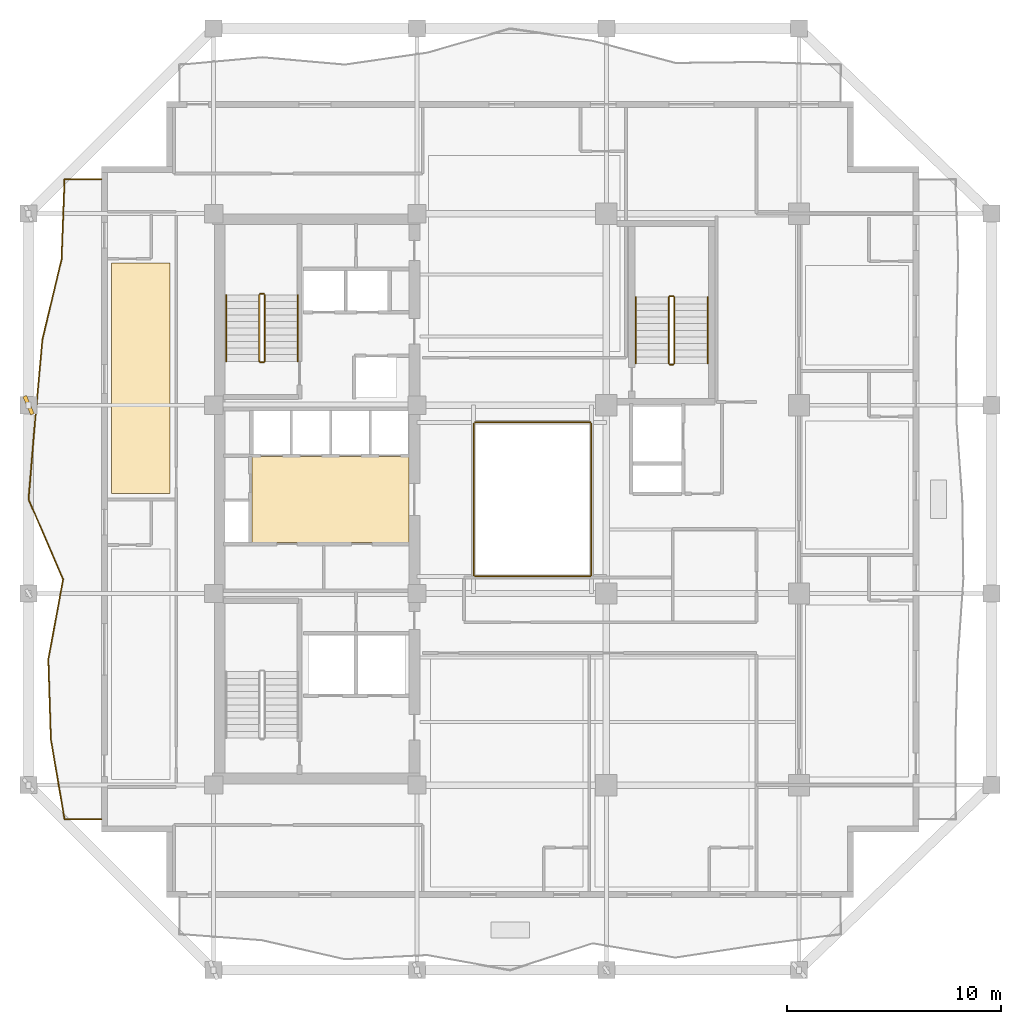
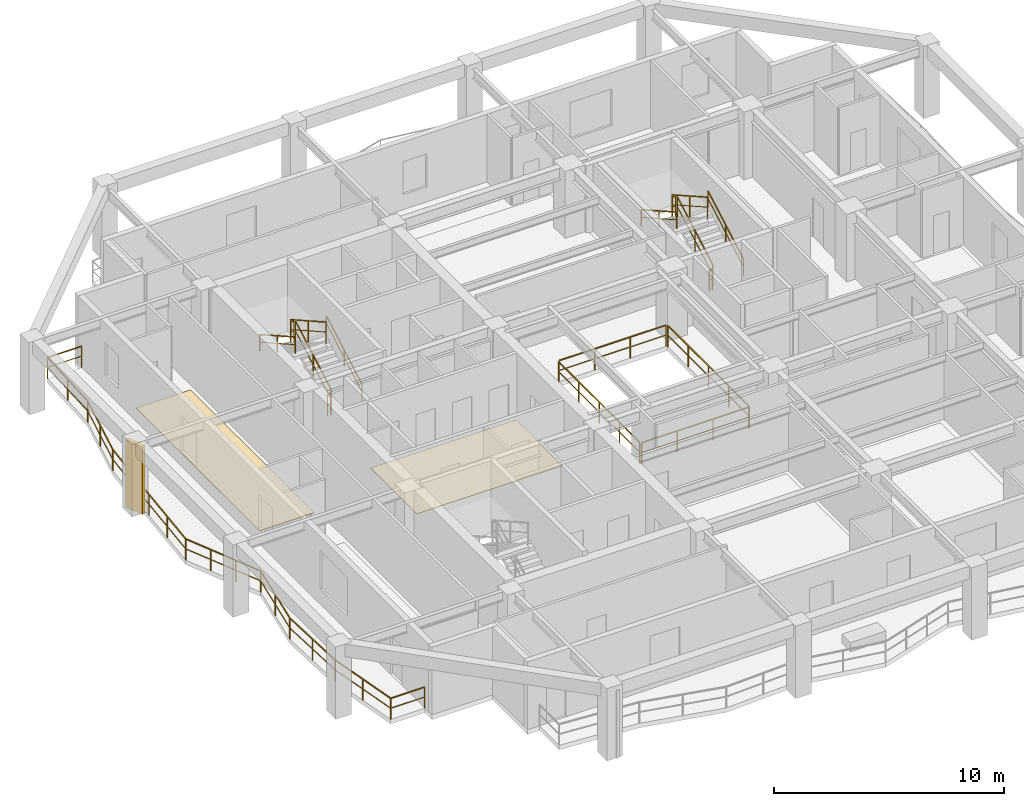
# One storey, part 9 of 11: 17 railings, 2 coverings, 1 shading device.
"""IFC4 building model written with IfcOpenShell, lengths in metres."""

from ifc_helpers import new_model, si_unit, direction, frame, origin, origin_2d, place, context, subcontext, project, spatial, polyline, rectangle, outline, extrude, material, layer, layer_set, type_object, element, save


model = new_model("IFC4")

# Units and contexts
model_context = context("Model", 3, precision=1e-05, world=origin(), true_north=direction((0.0, 1.0)))
body_context = subcontext(model_context, "Body", "Model", "MODEL_VIEW")
ifc_project = project(units=[si_unit("LENGTHUNIT", "METRE"), si_unit("AREAUNIT", "SQUARE_METRE"), si_unit("VOLUMEUNIT", "CUBIC_METRE"), si_unit("PLANEANGLEUNIT", "RADIAN"), si_unit("MASSUNIT", "GRAM", prefix="KILO")], contexts=[model_context])

# Site, building, storey
site_placement = place(None, origin())
site = spatial("IfcSite", under=ifc_project, at=site_placement, CompositionType="ELEMENT")
building_placement = place(site_placement, origin())
building = spatial("IfcBuilding", under=site, at=building_placement, Name="Kundavana Baori Tower", CompositionType="ELEMENT")
storey_placement = place(building_placement, frame((0.0, 0.0, 119.39990234375)))
storey = spatial("IfcBuildingStorey", under=building, at=storey_placement, Name="L28", CompositionType="ELEMENT", Elevation=119.39990234375)

# Coverings
ifc_material_1 = material(Name="Honed Kota Stone and Terrazzo Flooring", Category="masonry")
ifc_layer_1 = layer(ifc_material_1, 0.0400390625, Name="COV-FLR-TERR-40")
ifc_layer_set_1 = layer_set([ifc_layer_1], Name="Honed Kota Stone and Terrazzo Flooring")
covering_type_1 = type_object("IfcCoveringType", Name="COV-FLR-TERR-40", PredefinedType="FLOORING", material=ifc_layer_set_1)
covering_1_placement = place(storey_placement, origin())
element("IfcCovering", 1, at=covering_1_placement, inside=storey, type_object=covering_type_1, Name="L28 Room Finished Stone Flooring 2", PredefinedType="FLOORING", context=body_context, shape_type="SweptSolid", body=[
    extrude(outline(polyline([(10.679931640625, 28.8798828125), (13.419921875, 28.8798828125), (13.419921875, 39.64990234375), (10.679931640625, 39.64990234375), (10.679931640625, 28.8798828125)])), origin(), (0.0, 0.0, 1.0), 0.0400390625),
])
ifc_material_2 = material(Name="Honed Kota Stone and Terrazzo Flooring", Category="masonry")
ifc_layer_2 = layer(ifc_material_2, 0.030029296875, Name="COV-INT-FLR")
ifc_layer_set_2 = layer_set([ifc_layer_2], Name="Honed Kota Stone and Terrazzo Flooring")
covering_type_2 = type_object("IfcCoveringType", Name="COV-INT-FLR", PredefinedType="FLOORING", material=ifc_layer_set_2)
covering_2_placement = place(storey_placement, origin())
element("IfcCovering", 2, at=covering_2_placement, inside=storey, type_object=covering_type_2, Name="L28 Core Lift Lobby Kota Stone Flooring", PredefinedType="FLOORING", context=body_context, shape_type="SweptSolid", body=[
    extrude(outline(polyline([(17.25, 26.580078125), (24.580078125, 26.580078125), (24.580078125, 30.60009765625), (17.25, 30.60009765625), (17.25, 26.580078125)])), origin(), (0.0, 0.0, 1.0), 0.030029296875),
])

# Railings
ifc_material_3 = material(Name="Architectural Patinated Bronze Metalwork")
railing_type_1 = type_object("IfcRailingType", Name="RL-BAL-1150", PredefinedType="BALUSTRADE", material=ifc_material_3)
railing_1_placement = place(storey_placement, frame((10.199951171875, 13.64990234375, 0.0)))
element("IfcRailing", 3, at=railing_1_placement, inside=storey, type_object=railing_type_1, Name="L28 Loggia Balcony Balustrade W", PredefinedType="BALUSTRADE", context=body_context, shape_type="SweptSolid", body=[
    extrude(rectangle(XDim=0.048095703125, YDim=0.048095703125, at=origin_2d()), frame((0.0, 0.0, 1.1259765625), z_axis=(-1.0, 0.0, 0.0), x_axis=(0.0, -1.0, 0.0)), (0.0, 0.0, 1.0), 1.719970703125),
    extrude(rectangle(XDim=0.03125, YDim=0.03125, at=origin_2d()), frame((0.0, 0.0, 0.597900390625), z_axis=(-1.0, 0.0, 0.0), x_axis=(0.0, -1.0, 0.0)), (0.0, 0.0, 1.0), 1.719970703125),
    extrude(rectangle(XDim=0.048095703125, YDim=0.048095703125, at=origin_2d()), frame((-1.719970703125, 0.0, 1.1259765625), z_axis=(-0.168772575076, 0.985655019721, 0.0), x_axis=(-0.985655019721, -0.168772575076, 0.0)), (0.0, 0.0, 1.0), 3.79150390625),
    extrude(rectangle(XDim=0.03125, YDim=0.03125, at=origin_2d()), frame((-1.719970703125, 0.0, 0.597900390625), z_axis=(-0.168772575076, 0.985655019721, 0.0), x_axis=(-0.985655019721, -0.168772575076, 0.0)), (0.0, 0.0, 1.0), 3.79150390625),
    extrude(rectangle(XDim=0.048095703125, YDim=0.048095703125, at=origin_2d()), frame((-2.35986328125, 3.737060546875, 1.1259765625), z_axis=(-0.031334615386, 0.999508950374, 0.0), x_axis=(-0.999508950374, -0.031334615386, 0.0)), (0.0, 0.0, 1.0), 3.739990234375),
    extrude(rectangle(XDim=0.03125, YDim=0.03125, at=origin_2d()), frame((-2.35986328125, 3.737060546875, 0.597900390625), z_axis=(-0.031334615386, 0.999508950374, 0.0), x_axis=(-0.999508950374, -0.031334615386, 0.0)), (0.0, 0.0, 1.0), 3.739990234375),
    extrude(rectangle(XDim=0.048095703125, YDim=0.048095703125, at=origin_2d()), frame((-2.47705078125, 7.47509765625, 1.1259765625), z_axis=(0.181863818535, 0.983323726709, 0.0), x_axis=(-0.983323726709, 0.181863818535, 0.0)), (0.0, 0.0, 1.0), 3.800537109375),
    extrude(rectangle(XDim=0.03125, YDim=0.03125, at=origin_2d()), frame((-2.47705078125, 7.47509765625, 0.597900390625), z_axis=(0.181863818535, 0.983323726709, 0.0), x_axis=(-0.983323726709, 0.181863818535, 0.0)), (0.0, 0.0, 1.0), 3.800537109375),
    extrude(rectangle(XDim=0.048095703125, YDim=0.048095703125, at=origin_2d()), frame((-1.785888671875, 11.212158203125, 1.1259765625), z_axis=(-0.396407301281, 0.918074752671, 0.0), x_axis=(-0.918074752671, -0.396407301281, 0.0)), (0.0, 0.0, 1.0), 4.071533203125),
    extrude(rectangle(XDim=0.03125, YDim=0.03125, at=origin_2d()), frame((-1.785888671875, 11.212158203125, 0.597900390625), z_axis=(-0.396407301281, 0.918074752671, 0.0), x_axis=(-0.918074752671, -0.396407301281, 0.0)), (0.0, 0.0, 1.0), 4.071533203125),
    extrude(rectangle(XDim=0.048095703125, YDim=0.048095703125, at=origin_2d()), frame((-3.39990234375, 14.9501953125, 1.1259765625), z_axis=(0.08210781225, 0.996623453049, 0.0), x_axis=(-0.996623453049, 0.08210781225, 0.0)), (0.0, 0.0, 1.0), 3.74951171875),
    extrude(rectangle(XDim=0.03125, YDim=0.03125, at=origin_2d()), frame((-3.39990234375, 14.9501953125, 0.597900390625), z_axis=(0.08210781225, 0.996623453049, 0.0), x_axis=(-0.996623453049, 0.08210781225, 0.0)), (0.0, 0.0, 1.0), 3.74951171875),
    extrude(rectangle(XDim=0.048095703125, YDim=0.048095703125, at=origin_2d()), frame((-3.092041015625, 18.68701171875, 1.1259765625), z_axis=(0.090090005516, 0.995933627762, 0.0), x_axis=(-0.995933627762, 0.090090005516, 0.0)), (0.0, 0.0, 1.0), 3.75341796875),
    extrude(rectangle(XDim=0.03125, YDim=0.03125, at=origin_2d()), frame((-3.092041015625, 18.68701171875, 0.597900390625), z_axis=(0.090090005516, 0.995933627762, 0.0), x_axis=(-0.995933627762, 0.090090005516, 0.0)), (0.0, 0.0, 1.0), 3.75341796875),
    extrude(rectangle(XDim=0.048095703125, YDim=0.048095703125, at=origin_2d()), frame((-2.75390625, 22.425048828125, 1.1259765625), z_axis=(0.232671201059, 0.972555454562, 0.0), x_axis=(-0.972555454562, 0.232671201059, 0.0)), (0.0, 0.0, 1.0), 3.842529296875),
    extrude(rectangle(XDim=0.03125, YDim=0.03125, at=origin_2d()), frame((-2.75390625, 22.425048828125, 0.597900390625), z_axis=(0.232671201059, 0.972555454562, 0.0), x_axis=(-0.972555454562, 0.232671201059, 0.0)), (0.0, 0.0, 1.0), 3.842529296875),
    extrude(rectangle(XDim=0.048095703125, YDim=0.048095703125, at=origin_2d()), frame((-1.85986328125, 26.162109375, 1.1259765625), z_axis=(0.037397894336, 0.999300454067, 0.0), x_axis=(-0.999300454067, 0.037397894336, 0.0)), (0.0, 0.0, 1.0), 3.74072265625),
    extrude(rectangle(XDim=0.03125, YDim=0.03125, at=origin_2d()), frame((-1.85986328125, 26.162109375, 0.597900390625), z_axis=(0.037397894336, 0.999300454067, 0.0), x_axis=(-0.999300454067, 0.037397894336, 0.0)), (0.0, 0.0, 1.0), 3.74072265625),
    extrude(rectangle(XDim=0.048095703125, YDim=0.048095703125, at=origin_2d()), frame((-1.719970703125, 29.900146484375, 1.1259765625), z_axis=(1.0, 0.0, 0.0), x_axis=(0.0, 1.0, 0.0)), (0.0, 0.0, 1.0), 1.719970703125),
    extrude(rectangle(XDim=0.03125, YDim=0.03125, at=origin_2d()), frame((-1.719970703125, 29.900146484375, 0.597900390625), z_axis=(1.0, 0.0, 0.0), x_axis=(0.0, 1.0, 0.0)), (0.0, 0.0, 1.0), 1.719970703125),
    extrude(rectangle(XDim=0.0419921875, YDim=0.0419921875, at=origin_2d()), origin(), (0.0, 0.0, 1.0), 1.101806640625),
    extrude(rectangle(XDim=0.0419921875, YDim=0.0419921875, at=origin_2d()), frame((-1.719970703125, 0.0, 0.0)), (0.0, 0.0, 1.0), 1.101806640625),
    extrude(rectangle(XDim=0.0419921875, YDim=0.0419921875, at=origin_2d()), frame((-2.0400390625, 1.86865234375, 0.0)), (0.0, 0.0, 1.0), 1.101806640625),
    extrude(rectangle(XDim=0.0419921875, YDim=0.0419921875, at=origin_2d()), frame((-2.35986328125, 3.737060546875, 0.0)), (0.0, 0.0, 1.0), 1.101806640625),
    extrude(rectangle(XDim=0.0419921875, YDim=0.0419921875, at=origin_2d()), frame((-2.41845703125, 5.60595703125, 0.0)), (0.0, 0.0, 1.0), 1.101806640625),
    extrude(rectangle(XDim=0.0419921875, YDim=0.0419921875, at=origin_2d()), frame((-2.47705078125, 7.47509765625, 0.0)), (0.0, 0.0, 1.0), 1.101806640625),
    extrude(rectangle(XDim=0.0419921875, YDim=0.0419921875, at=origin_2d()), frame((-2.13134765625, 9.34375, 0.0)), (0.0, 0.0, 1.0), 1.101806640625),
    extrude(rectangle(XDim=0.0419921875, YDim=0.0419921875, at=origin_2d()), frame((-1.785888671875, 11.212158203125, 0.0)), (0.0, 0.0, 1.0), 1.101806640625),
    extrude(rectangle(XDim=0.0419921875, YDim=0.0419921875, at=origin_2d()), frame((-2.323974609375, 12.458251953125, 0.0)), (0.0, 0.0, 1.0), 1.101806640625),
    extrude(rectangle(XDim=0.0419921875, YDim=0.0419921875, at=origin_2d()), frame((-2.86181640625, 13.7041015625, 0.0)), (0.0, 0.0, 1.0), 1.101806640625),
    extrude(rectangle(XDim=0.0419921875, YDim=0.0419921875, at=origin_2d()), frame((-3.39990234375, 14.9501953125, 0.0)), (0.0, 0.0, 1.0), 1.101806640625),
    extrude(rectangle(XDim=0.0419921875, YDim=0.0419921875, at=origin_2d()), frame((-3.24609375, 16.818603515625, 0.0)), (0.0, 0.0, 1.0), 1.101806640625),
    extrude(rectangle(XDim=0.0419921875, YDim=0.0419921875, at=origin_2d()), frame((-3.092041015625, 18.68701171875, 0.0)), (0.0, 0.0, 1.0), 1.101806640625),
    extrude(rectangle(XDim=0.0419921875, YDim=0.0419921875, at=origin_2d()), frame((-2.9228515625, 20.55615234375, 0.0)), (0.0, 0.0, 1.0), 1.101806640625),
    extrude(rectangle(XDim=0.0419921875, YDim=0.0419921875, at=origin_2d()), frame((-2.75390625, 22.425048828125, 0.0)), (0.0, 0.0, 1.0), 1.101806640625),
    extrude(rectangle(XDim=0.0419921875, YDim=0.0419921875, at=origin_2d()), frame((-2.306884765625, 24.29345703125, 0.0)), (0.0, 0.0, 1.0), 1.101806640625),
    extrude(rectangle(XDim=0.0419921875, YDim=0.0419921875, at=origin_2d()), frame((-1.85986328125, 26.162109375, 0.0)), (0.0, 0.0, 1.0), 1.101806640625),
    extrude(rectangle(XDim=0.0419921875, YDim=0.0419921875, at=origin_2d()), frame((-1.7900390625, 28.03125, 0.0)), (0.0, 0.0, 1.0), 1.101806640625),
    extrude(rectangle(XDim=0.0419921875, YDim=0.0419921875, at=origin_2d()), frame((-1.719970703125, 29.900146484375, 0.0)), (0.0, 0.0, 1.0), 1.101806640625),
    extrude(rectangle(XDim=0.0419921875, YDim=0.0419921875, at=origin_2d()), frame((0.0, 29.900146484375, 0.0)), (0.0, 0.0, 1.0), 1.101806640625),
])
ifc_material_4 = material(Name="Architectural Patinated Bronze Metalwork")
railing_type_2 = type_object("IfcRailingType", Name="RL-GRD-1150", PredefinedType="GUARDRAIL", material=ifc_material_4)
railing_2_placement = place(storey_placement, frame((17.840087890625, 35.050048828125, 0.175048828125)))
element("IfcRailing", 4, at=railing_2_placement, inside=storey, type_object=railing_type_2, Name="L28 ST2 stair guard 1", PredefinedType="GUARDRAIL", context=body_context, shape_type="SweptSolid", body=[
    extrude(rectangle(XDim=0.048095703125, YDim=0.048095703125, at=origin_2d()), frame((0.0, 0.0, 1.1259765625), z_axis=(0.0, 0.870814364268, 0.491611984175), x_axis=(-1.0, 0.0, 0.0)), (0.0, 0.0, 1.0), 3.559814453125),
    extrude(rectangle(XDim=0.03125, YDim=0.03125, at=origin_2d()), frame((0.0, 0.0, 0.597900390625), z_axis=(0.0, 0.870814364268, 0.491611984175), x_axis=(-1.0, 0.0, 0.0)), (0.0, 0.0, 1.0), 3.559814453125),
    extrude(rectangle(XDim=0.0419921875, YDim=0.0419921875, at=origin_2d()), origin(), (0.0, 0.0, 1.0), 1.101806640625),
    extrude(rectangle(XDim=0.0419921875, YDim=0.0419921875, at=origin_2d()), frame((0.0, 1.5498046875, 0.875)), (0.0, 0.0, 1.0), 1.101806640625),
    extrude(rectangle(XDim=0.0419921875, YDim=0.0419921875, at=origin_2d()), frame((0.0, 3.099853515625, 1.75)), (0.0, 0.0, 1.0), 1.101806640625),
])
railing_3_placement = place(storey_placement, frame((17.7900390625, 38.199951171875, 1.925048828125)))
element("IfcRailing", 5, at=railing_3_placement, inside=storey, type_object=railing_type_2, Name="L28 ST2 stair guard 2", PredefinedType="GUARDRAIL", context=body_context, shape_type="SweptSolid", body=[
    extrude(rectangle(XDim=0.048095703125, YDim=0.048095703125, at=origin_2d()), frame((0.0, 0.0, 1.1259765625), z_axis=(-1.0, 0.0, 0.0), x_axis=(0.0, -1.0, 0.0)), (0.0, 0.0, 1.0), 0.16015625),
    extrude(rectangle(XDim=0.03125, YDim=0.03125, at=origin_2d()), frame((0.0, 0.0, 0.597900390625), z_axis=(-1.0, 0.0, 0.0), x_axis=(0.0, -1.0, 0.0)), (0.0, 0.0, 1.0), 0.16015625),
    extrude(rectangle(XDim=0.0419921875, YDim=0.0419921875, at=origin_2d()), origin(), (0.0, 0.0, 1.0), 1.101806640625),
    extrude(rectangle(XDim=0.0419921875, YDim=0.0419921875, at=origin_2d()), frame((-0.16015625, 0.0, 0.0)), (0.0, 0.0, 1.0), 1.101806640625),
])
railing_4_placement = place(storey_placement, frame((17.580078125, 38.14990234375, 2.10009765625)))
element("IfcRailing", 6, at=railing_4_placement, inside=storey, type_object=railing_type_2, Name="L28 ST2 stair guard 3", PredefinedType="GUARDRAIL", context=body_context, shape_type="SweptSolid", body=[
    extrude(rectangle(XDim=0.048095703125, YDim=0.048095703125, at=origin_2d()), frame((0.0, 0.0, 1.1259765625), z_axis=(0.0, -0.870814364268, 0.491611984175), x_axis=(1.0, 0.0, 0.0)), (0.0, 0.0, 1.0), 3.559814453125),
    extrude(rectangle(XDim=0.03125, YDim=0.03125, at=origin_2d()), frame((0.0, 0.0, 0.597900390625), z_axis=(0.0, -0.870814364268, 0.491611984175), x_axis=(1.0, 0.0, 0.0)), (0.0, 0.0, 1.0), 3.559814453125),
    extrude(rectangle(XDim=0.0419921875, YDim=0.0419921875, at=origin_2d()), origin(), (0.0, 0.0, 1.0), 1.101806640625),
    extrude(rectangle(XDim=0.0419921875, YDim=0.0419921875, at=origin_2d()), frame((0.0, -1.5498046875, 0.875)), (0.0, 0.0, 1.0), 1.101806640625),
    extrude(rectangle(XDim=0.0419921875, YDim=0.0419921875, at=origin_2d()), frame((0.0, -3.099853515625, 1.75)), (0.0, 0.0, 1.0), 1.101806640625),
])
railing_5_placement = place(storey_placement, frame((17.7900390625, 35.0, 0.0)))
element("IfcRailing", 7, at=railing_5_placement, inside=storey, type_object=railing_type_2, Name="L28 ST2 stair guard 4", PredefinedType="GUARDRAIL", context=body_context, shape_type="SweptSolid", body=[
    extrude(rectangle(XDim=0.048095703125, YDim=0.048095703125, at=origin_2d()), frame((0.0, 0.0, 1.1259765625), z_axis=(-1.0, 0.0, 0.0), x_axis=(0.0, -1.0, 0.0)), (0.0, 0.0, 1.0), 0.16015625),
    extrude(rectangle(XDim=0.03125, YDim=0.03125, at=origin_2d()), frame((0.0, 0.0, 0.597900390625), z_axis=(-1.0, 0.0, 0.0), x_axis=(0.0, -1.0, 0.0)), (0.0, 0.0, 1.0), 0.16015625),
    extrude(rectangle(XDim=0.0419921875, YDim=0.0419921875, at=origin_2d()), origin(), (0.0, 0.0, 1.0), 1.101806640625),
    extrude(rectangle(XDim=0.0419921875, YDim=0.0419921875, at=origin_2d()), frame((-0.16015625, 0.0, 0.0)), (0.0, 0.0, 1.0), 1.101806640625),
])
railing_6_placement = place(storey_placement, frame((36.97998046875, 34.949951171875, 0.175048828125)))
element("IfcRailing", 8, at=railing_6_placement, inside=storey, type_object=railing_type_2, Name="L28 ST3 stair guard 1", PredefinedType="GUARDRAIL", context=body_context, shape_type="SweptSolid", body=[
    extrude(rectangle(XDim=0.048095703125, YDim=0.048095703125, at=origin_2d()), frame((0.0, 0.0, 1.1259765625), z_axis=(0.0, 0.870830938388, 0.491582624537), x_axis=(-1.0, 0.0, 0.0)), (0.0, 0.0, 1.0), 3.559814453125),
    extrude(rectangle(XDim=0.03125, YDim=0.03125, at=origin_2d()), frame((0.0, 0.0, 0.597900390625), z_axis=(0.0, 0.870830938388, 0.491582624537), x_axis=(-1.0, 0.0, 0.0)), (0.0, 0.0, 1.0), 3.559814453125),
    extrude(rectangle(XDim=0.0419921875, YDim=0.0419921875, at=origin_2d()), origin(), (0.0, 0.0, 1.0), 1.101806640625),
    extrude(rectangle(XDim=0.0419921875, YDim=0.0419921875, at=origin_2d()), frame((0.0, 1.550048828125, 0.875)), (0.0, 0.0, 1.0), 1.101806640625),
    extrude(rectangle(XDim=0.0419921875, YDim=0.0419921875, at=origin_2d()), frame((0.0, 3.10009765625, 1.75)), (0.0, 0.0, 1.0), 1.101806640625),
])
railing_7_placement = place(storey_placement, frame((36.929931640625, 38.10009765625, 1.925048828125)))
element("IfcRailing", 9, at=railing_7_placement, inside=storey, type_object=railing_type_2, Name="L28 ST3 stair guard 2", PredefinedType="GUARDRAIL", context=body_context, shape_type="SweptSolid", body=[
    extrude(rectangle(XDim=0.048095703125, YDim=0.048095703125, at=origin_2d()), frame((0.0, 0.0, 1.1259765625), z_axis=(-1.0, 0.0, 0.0), x_axis=(0.0, -1.0, 0.0)), (0.0, 0.0, 1.0), 0.159912109375),
    extrude(rectangle(XDim=0.03125, YDim=0.03125, at=origin_2d()), frame((0.0, 0.0, 0.597900390625), z_axis=(-1.0, 0.0, 0.0), x_axis=(0.0, -1.0, 0.0)), (0.0, 0.0, 1.0), 0.159912109375),
    extrude(rectangle(XDim=0.0419921875, YDim=0.0419921875, at=origin_2d()), origin(), (0.0, 0.0, 1.0), 1.101806640625),
    extrude(rectangle(XDim=0.0419921875, YDim=0.0419921875, at=origin_2d()), frame((-0.159912109375, 0.0, 0.0)), (0.0, 0.0, 1.0), 1.101806640625),
])
railing_8_placement = place(storey_placement, frame((36.719970703125, 38.050048828125, 2.10009765625)))
element("IfcRailing", 10, at=railing_8_placement, inside=storey, type_object=railing_type_2, Name="L28 ST3 stair guard 3", PredefinedType="GUARDRAIL", context=body_context, shape_type="SweptSolid", body=[
    extrude(rectangle(XDim=0.048095703125, YDim=0.048095703125, at=origin_2d()), frame((0.0, 0.0, 1.1259765625), z_axis=(0.0, -0.870830938388, 0.491582624537), x_axis=(1.0, 0.0, 0.0)), (0.0, 0.0, 1.0), 3.559814453125),
    extrude(rectangle(XDim=0.03125, YDim=0.03125, at=origin_2d()), frame((0.0, 0.0, 0.597900390625), z_axis=(0.0, -0.870830938388, 0.491582624537), x_axis=(1.0, 0.0, 0.0)), (0.0, 0.0, 1.0), 3.559814453125),
    extrude(rectangle(XDim=0.0419921875, YDim=0.0419921875, at=origin_2d()), origin(), (0.0, 0.0, 1.0), 1.101806640625),
    extrude(rectangle(XDim=0.0419921875, YDim=0.0419921875, at=origin_2d()), frame((0.0, -1.550048828125, 0.875)), (0.0, 0.0, 1.0), 1.101806640625),
    extrude(rectangle(XDim=0.0419921875, YDim=0.0419921875, at=origin_2d()), frame((0.0, -3.10009765625, 1.75)), (0.0, 0.0, 1.0), 1.101806640625),
])
railing_9_placement = place(storey_placement, frame((36.929931640625, 34.89990234375, 0.0)))
element("IfcRailing", 11, at=railing_9_placement, inside=storey, type_object=railing_type_2, Name="L28 ST3 stair guard 4", PredefinedType="GUARDRAIL", context=body_context, shape_type="SweptSolid", body=[
    extrude(rectangle(XDim=0.048095703125, YDim=0.048095703125, at=origin_2d()), frame((0.0, 0.0, 1.1259765625), z_axis=(-1.0, 0.0, 0.0), x_axis=(0.0, -1.0, 0.0)), (0.0, 0.0, 1.0), 0.159912109375),
    extrude(rectangle(XDim=0.03125, YDim=0.03125, at=origin_2d()), frame((0.0, 0.0, 0.597900390625), z_axis=(-1.0, 0.0, 0.0), x_axis=(0.0, -1.0, 0.0)), (0.0, 0.0, 1.0), 0.159912109375),
    extrude(rectangle(XDim=0.0419921875, YDim=0.0419921875, at=origin_2d()), origin(), (0.0, 0.0, 1.0), 1.101806640625),
    extrude(rectangle(XDim=0.0419921875, YDim=0.0419921875, at=origin_2d()), frame((-0.159912109375, 0.0, 0.0)), (0.0, 0.0, 1.0), 1.101806640625),
])
railing_10_placement = place(storey_placement, frame((27.659912109375, 25.0, 0.0)))
element("IfcRailing", 12, at=railing_10_placement, inside=storey, type_object=railing_type_2, Name="L28 Atrium Void Perimeter Guardrail S", PredefinedType="GUARDRAIL", context=body_context, shape_type="SweptSolid", body=[
    extrude(rectangle(XDim=0.048095703125, YDim=0.048095703125, at=origin_2d()), frame((0.0, 0.0, 1.1259765625), z_axis=(1.0, 0.0, 0.0), x_axis=(0.0, 1.0, 0.0)), (0.0, 0.0, 1.0), 5.380126953125),
    extrude(rectangle(XDim=0.03125, YDim=0.03125, at=origin_2d()), frame((0.0, 0.0, 0.597900390625), z_axis=(1.0, 0.0, 0.0), x_axis=(0.0, 1.0, 0.0)), (0.0, 0.0, 1.0), 5.380126953125),
    extrude(rectangle(XDim=0.0419921875, YDim=0.0419921875, at=origin_2d()), origin(), (0.0, 0.0, 1.0), 1.101806640625),
    extrude(rectangle(XDim=0.0419921875, YDim=0.0419921875, at=origin_2d()), frame((1.79345703125, 0.0, 0.0)), (0.0, 0.0, 1.0), 1.101806640625),
    extrude(rectangle(XDim=0.0419921875, YDim=0.0419921875, at=origin_2d()), frame((3.586669921875, 0.0, 0.0)), (0.0, 0.0, 1.0), 1.101806640625),
    extrude(rectangle(XDim=0.0419921875, YDim=0.0419921875, at=origin_2d()), frame((5.380126953125, 0.0, 0.0)), (0.0, 0.0, 1.0), 1.101806640625),
])
railing_11_placement = place(storey_placement, frame((33.10009765625, 25.06005859375, 0.0)))
element("IfcRailing", 13, at=railing_11_placement, inside=storey, type_object=railing_type_2, Name="L28 Atrium Void Perimeter Guardrail E", PredefinedType="GUARDRAIL", context=body_context, shape_type="SweptSolid", body=[
    extrude(rectangle(XDim=0.048095703125, YDim=0.048095703125, at=origin_2d()), frame((0.0, 0.0, 1.1259765625), z_axis=(0.0, 1.0, 0.0), x_axis=(-1.0, 0.0, 0.0)), (0.0, 0.0, 1.0), 7.079833984375),
    extrude(rectangle(XDim=0.03125, YDim=0.03125, at=origin_2d()), frame((0.0, 0.0, 0.597900390625), z_axis=(0.0, 1.0, 0.0), x_axis=(-1.0, 0.0, 0.0)), (0.0, 0.0, 1.0), 7.079833984375),
    extrude(rectangle(XDim=0.0419921875, YDim=0.0419921875, at=origin_2d()), origin(), (0.0, 0.0, 1.0), 1.101806640625),
    extrude(rectangle(XDim=0.0419921875, YDim=0.0419921875, at=origin_2d()), frame((0.0, 1.77001953125, 0.0)), (0.0, 0.0, 1.0), 1.101806640625),
    extrude(rectangle(XDim=0.0419921875, YDim=0.0419921875, at=origin_2d()), frame((0.0, 3.5400390625, 0.0)), (0.0, 0.0, 1.0), 1.101806640625),
    extrude(rectangle(XDim=0.0419921875, YDim=0.0419921875, at=origin_2d()), frame((0.0, 5.309814453125, 0.0)), (0.0, 0.0, 1.0), 1.101806640625),
    extrude(rectangle(XDim=0.0419921875, YDim=0.0419921875, at=origin_2d()), frame((0.0, 7.079833984375, 0.0)), (0.0, 0.0, 1.0), 1.101806640625),
])
railing_12_placement = place(storey_placement, frame((33.0400390625, 32.199951171875, 0.0)))
element("IfcRailing", 14, at=railing_12_placement, inside=storey, type_object=railing_type_2, Name="L28 Atrium Void Perimeter Guardrail N", PredefinedType="GUARDRAIL", context=body_context, shape_type="SweptSolid", body=[
    extrude(rectangle(XDim=0.048095703125, YDim=0.048095703125, at=origin_2d()), frame((0.0, 0.0, 1.1259765625), z_axis=(-1.0, 0.0, 0.0), x_axis=(0.0, -1.0, 0.0)), (0.0, 0.0, 1.0), 5.380126953125),
    extrude(rectangle(XDim=0.03125, YDim=0.03125, at=origin_2d()), frame((0.0, 0.0, 0.597900390625), z_axis=(-1.0, 0.0, 0.0), x_axis=(0.0, -1.0, 0.0)), (0.0, 0.0, 1.0), 5.380126953125),
    extrude(rectangle(XDim=0.0419921875, YDim=0.0419921875, at=origin_2d()), origin(), (0.0, 0.0, 1.0), 1.101806640625),
    extrude(rectangle(XDim=0.0419921875, YDim=0.0419921875, at=origin_2d()), frame((-1.79345703125, 0.0, 0.0)), (0.0, 0.0, 1.0), 1.101806640625),
    extrude(rectangle(XDim=0.0419921875, YDim=0.0419921875, at=origin_2d()), frame((-3.586669921875, 0.0, 0.0)), (0.0, 0.0, 1.0), 1.101806640625),
    extrude(rectangle(XDim=0.0419921875, YDim=0.0419921875, at=origin_2d()), frame((-5.380126953125, 0.0, 0.0)), (0.0, 0.0, 1.0), 1.101806640625),
])
railing_13_placement = place(storey_placement, frame((27.60009765625, 32.139892578125, 0.0)))
element("IfcRailing", 15, at=railing_13_placement, inside=storey, type_object=railing_type_2, Name="L28 Atrium Void Perimeter Guardrail W", PredefinedType="GUARDRAIL", context=body_context, shape_type="SweptSolid", body=[
    extrude(rectangle(XDim=0.048095703125, YDim=0.048095703125, at=origin_2d()), frame((0.0, 0.0, 1.1259765625), z_axis=(0.0, -1.0, 0.0), x_axis=(1.0, 0.0, 0.0)), (0.0, 0.0, 1.0), 7.079833984375),
    extrude(rectangle(XDim=0.03125, YDim=0.03125, at=origin_2d()), frame((0.0, 0.0, 0.597900390625), z_axis=(0.0, -1.0, 0.0), x_axis=(1.0, 0.0, 0.0)), (0.0, 0.0, 1.0), 7.079833984375),
    extrude(rectangle(XDim=0.0419921875, YDim=0.0419921875, at=origin_2d()), origin(), (0.0, 0.0, 1.0), 1.101806640625),
    extrude(rectangle(XDim=0.0419921875, YDim=0.0419921875, at=origin_2d()), frame((0.0, -1.77001953125, 0.0)), (0.0, 0.0, 1.0), 1.101806640625),
    extrude(rectangle(XDim=0.0419921875, YDim=0.0419921875, at=origin_2d()), frame((0.0, -3.5400390625, 0.0)), (0.0, 0.0, 1.0), 1.101806640625),
    extrude(rectangle(XDim=0.0419921875, YDim=0.0419921875, at=origin_2d()), frame((0.0, -5.309814453125, 0.0)), (0.0, 0.0, 1.0), 1.101806640625),
    extrude(rectangle(XDim=0.0419921875, YDim=0.0419921875, at=origin_2d()), frame((0.0, -7.079833984375, 0.0)), (0.0, 0.0, 1.0), 1.101806640625),
])
ifc_material_5 = material(Name="Architectural Patinated Bronze Metalwork")
railing_type_3 = type_object("IfcRailingType", Name="RL-HND-920", PredefinedType="HANDRAIL", material=ifc_material_5)
railing_14_placement = place(storey_placement, frame((19.389892578125, 35.050048828125, 0.175048828125)))
element("IfcRailing", 16, at=railing_14_placement, inside=storey, type_object=railing_type_3, Name="L28 ST2 stair handrail 1", PredefinedType="HANDRAIL", context=body_context, shape_type="SweptSolid", body=[
    extrude(rectangle(XDim=0.048095703125, YDim=0.048095703125, at=origin_2d()), frame((0.0, 0.0, 0.8759765625), z_axis=(0.0, 0.870814364268, 0.491611984175), x_axis=(-1.0, 0.0, 0.0)), (0.0, 0.0, 1.0), 3.559814453125),
    extrude(rectangle(XDim=0.03125, YDim=0.03125, at=origin_2d()), frame((0.0, 0.0, 0.468017578125), z_axis=(0.0, 0.870814364268, 0.491611984175), x_axis=(-1.0, 0.0, 0.0)), (0.0, 0.0, 1.0), 3.559814453125),
    extrude(rectangle(XDim=0.0419921875, YDim=0.0419921875, at=origin_2d()), origin(), (0.0, 0.0, 1.0), 0.851806640625),
    extrude(rectangle(XDim=0.0419921875, YDim=0.0419921875, at=origin_2d()), frame((0.0, 1.5498046875, 0.875)), (0.0, 0.0, 1.0), 0.851806640625),
    extrude(rectangle(XDim=0.0419921875, YDim=0.0419921875, at=origin_2d()), frame((0.0, 3.099853515625, 1.75)), (0.0, 0.0, 1.0), 0.851806640625),
])
railing_15_placement = place(storey_placement, frame((16.030029296875, 38.14990234375, 2.10009765625)))
element("IfcRailing", 17, at=railing_15_placement, inside=storey, type_object=railing_type_3, Name="L28 ST2 stair handrail 2", PredefinedType="HANDRAIL", context=body_context, shape_type="SweptSolid", body=[
    extrude(rectangle(XDim=0.048095703125, YDim=0.048095703125, at=origin_2d()), frame((0.0, 0.0, 0.8759765625), z_axis=(0.0, -0.870814364268, 0.491611984175), x_axis=(1.0, 0.0, 0.0)), (0.0, 0.0, 1.0), 3.559814453125),
    extrude(rectangle(XDim=0.03125, YDim=0.03125, at=origin_2d()), frame((0.0, 0.0, 0.468017578125), z_axis=(0.0, -0.870814364268, 0.491611984175), x_axis=(1.0, 0.0, 0.0)), (0.0, 0.0, 1.0), 3.559814453125),
    extrude(rectangle(XDim=0.0419921875, YDim=0.0419921875, at=origin_2d()), origin(), (0.0, 0.0, 1.0), 0.851806640625),
    extrude(rectangle(XDim=0.0419921875, YDim=0.0419921875, at=origin_2d()), frame((0.0, -1.5498046875, 0.875)), (0.0, 0.0, 1.0), 0.851806640625),
    extrude(rectangle(XDim=0.0419921875, YDim=0.0419921875, at=origin_2d()), frame((0.0, -3.099853515625, 1.75)), (0.0, 0.0, 1.0), 0.851806640625),
])
railing_16_placement = place(storey_placement, frame((38.530029296875, 34.949951171875, 0.175048828125)))
element("IfcRailing", 18, at=railing_16_placement, inside=storey, type_object=railing_type_3, Name="L28 ST3 stair handrail 1", PredefinedType="HANDRAIL", context=body_context, shape_type="SweptSolid", body=[
    extrude(rectangle(XDim=0.048095703125, YDim=0.048095703125, at=origin_2d()), frame((0.0, 0.0, 0.8759765625), z_axis=(0.0, 0.870830938388, 0.491582624537), x_axis=(-1.0, 0.0, 0.0)), (0.0, 0.0, 1.0), 3.559814453125),
    extrude(rectangle(XDim=0.03125, YDim=0.03125, at=origin_2d()), frame((0.0, 0.0, 0.468017578125), z_axis=(0.0, 0.870830938388, 0.491582624537), x_axis=(-1.0, 0.0, 0.0)), (0.0, 0.0, 1.0), 3.559814453125),
    extrude(rectangle(XDim=0.0419921875, YDim=0.0419921875, at=origin_2d()), origin(), (0.0, 0.0, 1.0), 0.851806640625),
    extrude(rectangle(XDim=0.0419921875, YDim=0.0419921875, at=origin_2d()), frame((0.0, 1.550048828125, 0.875)), (0.0, 0.0, 1.0), 0.851806640625),
    extrude(rectangle(XDim=0.0419921875, YDim=0.0419921875, at=origin_2d()), frame((0.0, 3.10009765625, 1.75)), (0.0, 0.0, 1.0), 0.851806640625),
])
railing_17_placement = place(storey_placement, frame((35.169921875, 38.050048828125, 2.10009765625)))
element("IfcRailing", 19, at=railing_17_placement, inside=storey, type_object=railing_type_3, Name="L28 ST3 stair handrail 2", PredefinedType="HANDRAIL", context=body_context, shape_type="SweptSolid", body=[
    extrude(rectangle(XDim=0.048095703125, YDim=0.048095703125, at=origin_2d()), frame((0.0, 0.0, 0.8759765625), z_axis=(0.0, -0.870830938388, 0.491582624537), x_axis=(1.0, 0.0, 0.0)), (0.0, 0.0, 1.0), 3.559814453125),
    extrude(rectangle(XDim=0.03125, YDim=0.03125, at=origin_2d()), frame((0.0, 0.0, 0.468017578125), z_axis=(0.0, -0.870830938388, 0.491582624537), x_axis=(1.0, 0.0, 0.0)), (0.0, 0.0, 1.0), 3.559814453125),
    extrude(rectangle(XDim=0.0419921875, YDim=0.0419921875, at=origin_2d()), origin(), (0.0, 0.0, 1.0), 0.851806640625),
    extrude(rectangle(XDim=0.0419921875, YDim=0.0419921875, at=origin_2d()), frame((0.0, -1.550048828125, 0.875)), (0.0, 0.0, 1.0), 0.851806640625),
    extrude(rectangle(XDim=0.0419921875, YDim=0.0419921875, at=origin_2d()), frame((0.0, -3.10009765625, 1.75)), (0.0, 0.0, 1.0), 0.851806640625),
])

# Shading device
ifc_material_6 = material(Name="Red-Buff Dholpur Sandstone Cladding on Concrete C40/50", Category="masonry")
shading_device_type = type_object("IfcShadingDeviceType", Name="SHD-FIN-920", PredefinedType="JALOUSIE", material=ifc_material_6)
shading_device_placement = place(storey_placement, frame((6.800048828125, 33.0, 0.0), z_axis=(0.0, 0.0, 1.0), x_axis=(0.919684489797, 0.392658170968, 0.0)))
element("IfcShadingDevice", 20, at=shading_device_placement, inside=storey, type_object=shading_device_type, Name="L28 Sweeping Dholpur Sandstone Facade Fin 7", PredefinedType="JALOUSIE", context=body_context, shape_type="SweptSolid", body=[
    extrude(rectangle(XDim=0.179931640625, YDim=0.919921875, at=origin_2d()), origin(), (0.0, 0.0, 1.0), 3.60009765625),
])

save(model, "model.ifc")
